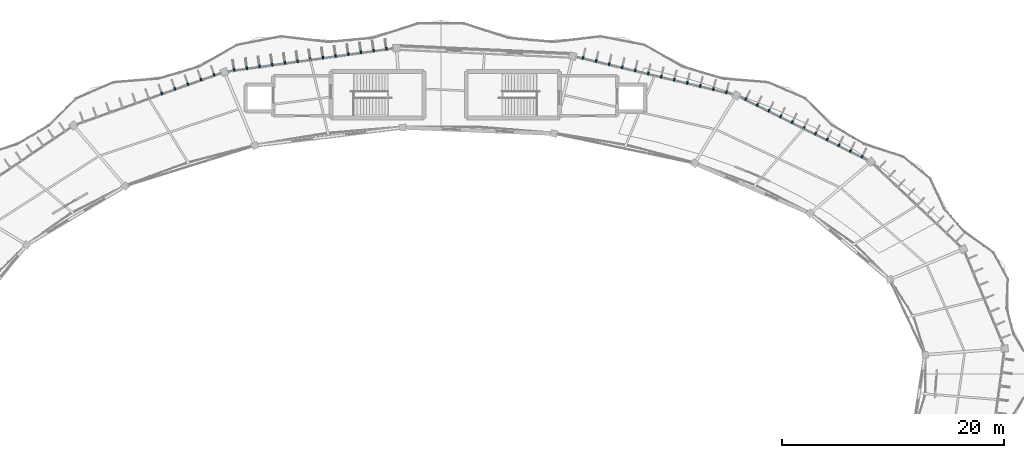
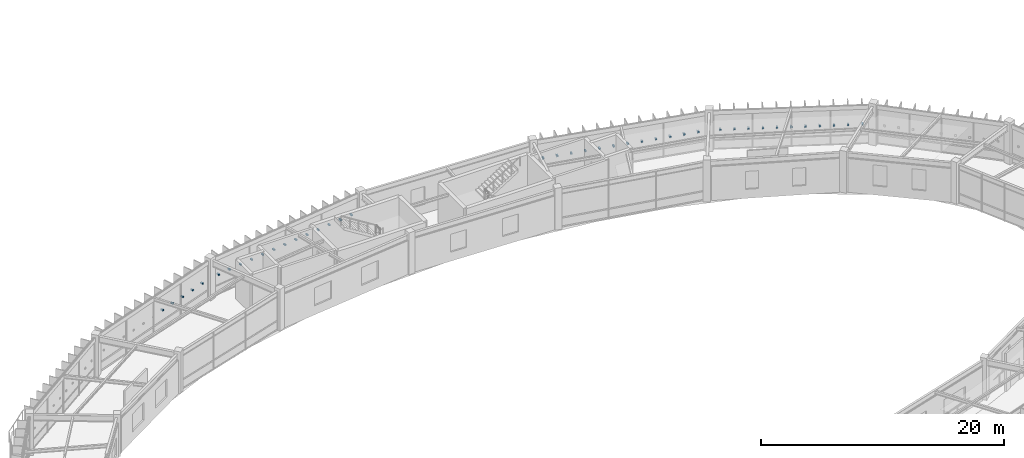
# One storey, part 102 of 114: 41 discrete accessories.
"""IFC4 building model written with IfcOpenShell, lengths in metres."""

from ifc_helpers import new_model, si_unit, direction, frame, origin, origin_2d, place, context, subcontext, project, spatial, rectangle, extrude, material, type_object, element, save


model = new_model("IFC4")

# Units and contexts
model_context = context("Model", 3, precision=1e-05, world=origin(), true_north=direction((0.0, 1.0)))
body_context = subcontext(model_context, "Body", "Model", "MODEL_VIEW")
ifc_project = project(units=[si_unit("LENGTHUNIT", "METRE"), si_unit("AREAUNIT", "SQUARE_METRE"), si_unit("VOLUMEUNIT", "CUBIC_METRE"), si_unit("PLANEANGLEUNIT", "RADIAN"), si_unit("MASSUNIT", "GRAM", prefix="KILO"), si_unit("THERMODYNAMICTEMPERATUREUNIT", "KELVIN"), si_unit("POWERUNIT", "WATT")], contexts=[model_context])

# Site, building, storey
site_placement = place(None, origin())
site = spatial("IfcSite", under=ifc_project, at=site_placement, CompositionType="ELEMENT")
building_placement = place(site_placement, origin())
building = spatial("IfcBuilding", under=site, at=building_placement, Name="Darbajah Civic Hall", CompositionType="ELEMENT")
storey_placement = place(building_placement, frame((0.0, 0.0, 13.800048828125)))
storey = spatial("IfcBuildingStorey", under=building, at=storey_placement, Name="L03", CompositionType="ELEMENT", Elevation=13.800048828125)

# Discrete accessories
ifc_material = material(Name="Stainless Steel S355JR", Category="steel")
discrete_accessory_type = type_object("IfcDiscreteAccessoryType", Name="Stainless Facade Support Bracket", PredefinedType="BRACKET", material=ifc_material)
for number, where, z_axis, x_axis, name in (
    (1, (127.089111328125, 109.41650390625, 1.89013671875), (0.0, 0.0, 1.0), (0.442914717678, 0.89656374724, 0.0), "L03 shading fin bracket 02-1"),
    (2, (126.03955078125, 109.935302734375, 1.89013671875), (0.0, 0.0, 1.0), (0.442914717678, 0.89656374724, 0.0), "L03 shading fin bracket 02-2"),
    (3, (124.98974609375, 110.453857421875, 1.89013671875), (0.0, 0.0, 1.0), (0.442914717678, 0.89656374724, 0.0), "L03 shading fin bracket 02-3"),
    (4, (123.940185546875, 110.972412109375, 1.89013671875), (0.0, 0.0, 1.0), (0.442914717678, 0.89656374724, 0.0), "L03 shading fin bracket 02-4"),
    (5, (122.890380859375, 111.490966796875, 1.89013671875), (0.0, 0.0, 1.0), (0.442914717678, 0.89656374724, 0.0), "L03 shading fin bracket 02-5"),
    (6, (121.840576171875, 112.009521484375, 1.89013671875), (0.0, 0.0, 1.0), (0.442914717678, 0.89656374724, 0.0), "L03 shading fin bracket 02-6"),
    (7, (120.791015625, 112.5283203125, 1.89013671875), (0.0, 0.0, 1.0), (0.442914717678, 0.89656374724, 0.0), "L03 shading fin bracket 02-7"),
    (8, (119.7412109375, 113.046875, 1.89013671875), (0.0, 0.0, 1.0), (0.442914717678, 0.89656374724, 0.0), "L03 shading fin bracket 02-8"),
    (9, (118.69140625, 113.5654296875, 1.89013671875), (0.0, 0.0, 1.0), (0.442914717678, 0.89656374724, 0.0), "L03 shading fin bracket 02-9"),
    (10, (117.641845703125, 114.083984375, 1.89013671875), (0.0, 0.0, 1.0), (0.442914717678, 0.89656374724, 0.0), "L03 shading fin bracket 02-10"),
    (11, (116.592041015625, 114.6025390625, 1.89013671875), (0.0, 0.0, 1.0), (0.442914717678, 0.89656374724, 0.0), "L03 shading fin bracket 02-11"),
    (12, (114.855712890625, 115.228271484375, 1.89013671875), (0.0, 0.0, 1.0), (0.232936200179, 0.972492018808, 0.0), "L03 shading fin bracket 03-1"),
    (13, (113.68017578125, 115.510009765625, 1.89013671875), (0.0, 0.0, 1.0), (0.232936200179, 0.972492018808, 0.0), "L03 shading fin bracket 03-2"),
    (14, (112.504638671875, 115.79150390625, 1.89013671875), (0.0, 0.0, 1.0), (0.232936200179, 0.972492018808, 0.0), "L03 shading fin bracket 03-3"),
    (15, (111.3291015625, 116.0732421875, 1.89013671875), (0.0, 0.0, 1.0), (0.232936200179, 0.972492018808, 0.0), "L03 shading fin bracket 03-4"),
    (16, (110.15380859375, 116.354736328125, 1.89013671875), (0.0, 0.0, 1.0), (0.232936200179, 0.972492018808, 0.0), "L03 shading fin bracket 03-5"),
    (17, (108.978271484375, 116.636474609375, 1.89013671875), (0.0, 0.0, 1.0), (0.232936200179, 0.972492018808, 0.0), "L03 shading fin bracket 03-6"),
    (18, (107.802734375, 116.918212890625, 1.89013671875), (0.0, 0.0, 1.0), (0.232936200179, 0.972492018808, 0.0), "L03 shading fin bracket 03-7"),
    (19, (106.627197265625, 117.19970703125, 1.89013671875), (0.0, 0.0, 1.0), (0.232936200179, 0.972492018808, 0.0), "L03 shading fin bracket 03-8"),
    (20, (105.451904296875, 117.481201171875, 1.89013671875), (0.0, 0.0, 1.0), (0.232936200179, 0.972492018808, 0.0), "L03 shading fin bracket 03-9"),
    (21, (104.2763671875, 117.762939453125, 1.89013671875), (0.0, 0.0, 1.0), (0.232936200179, 0.972492018808, 0.0), "L03 shading fin bracket 03-10"),
    (22, (103.100830078125, 118.044677734375, 1.89013671875), (0.0, 0.0, 1.0), (0.232936200179, 0.972492018808, 0.0), "L03 shading fin bracket 03-11"),
    (23, (101.92529296875, 118.326171875, 1.89013671875), (0.0, 0.0, 1.0), (0.232936200179, 0.972492018808, 0.0), "L03 shading fin bracket 03-12"),
    (24, (84.194580078125, 119.14404296875, 1.89013671875), (0.0, 0.0, 1.0), (-0.137617420457, 0.990485459553, 0.0), "L03 shading fin bracket 05-1"),
    (25, (83.05078125, 118.9853515625, 1.89013671875), (0.0, 0.0, 1.0), (-0.137617420457, 0.990485459553, 0.0), "L03 shading fin bracket 05-2"),
    (26, (81.9072265625, 118.826416015625, 1.89013671875), (0.0, 0.0, 1.0), (-0.137617420457, 0.990485459553, 0.0), "L03 shading fin bracket 05-3"),
    (27, (80.763671875, 118.66748046875, 1.89013671875), (0.0, 0.0, 1.0), (-0.137617420457, 0.990485459553, 0.0), "L03 shading fin bracket 05-4"),
    (28, (79.619873046875, 118.5087890625, 1.89013671875), (0.0, 0.0, 1.0), (-0.137617420457, 0.990485459553, 0.0), "L03 shading fin bracket 05-5"),
    (29, (78.476318359375, 118.35009765625, 1.89013671875), (0.0, 0.0, 1.0), (-0.137617420457, 0.990485459553, 0.0), "L03 shading fin bracket 05-6"),
    (30, (77.33251953125, 118.191162109375, 1.89013671875), (0.0, 0.0, 1.0), (-0.137617420457, 0.990485459553, 0.0), "L03 shading fin bracket 05-7"),
    (31, (76.18896484375, 118.032470703125, 1.89013671875), (0.0, 0.0, 1.0), (-0.137617420457, 0.990485459553, 0.0), "L03 shading fin bracket 05-8"),
    (32, (75.04541015625, 117.87353515625, 1.89013671875), (0.0, 0.0, 1.0), (-0.137617420457, 0.990485459553, 0.0), "L03 shading fin bracket 05-9"),
    (33, (73.901611328125, 117.714599609375, 1.89013671875), (0.0, 0.0, 1.0), (-0.137617420457, 0.990485459553, 0.0), "L03 shading fin bracket 05-10"),
    (34, (72.7578125, 117.555908203125, 1.89013671875), (0.0, 0.0, 1.0), (-0.137617420457, 0.990485459553, 0.0), "L03 shading fin bracket 05-11"),
    (35, (71.6142578125, 117.397216796875, 1.89013671875), (0.0, 0.0, 1.0), (-0.137617420457, 0.990485459553, 0.0), "L03 shading fin bracket 05-12"),
    (36, (70.470703125, 117.23828125, 1.89013671875), (0.0, 0.0, 1.0), (-0.137617420457, 0.990485459553, 0.0), "L03 shading fin bracket 05-13"),
    (37, (68.66455078125, 116.79248046875, 1.89013671875), (0.0, 0.0, 1.0), (-0.334135882844, 0.94252491309, 0.0), "L03 shading fin bracket 06-1"),
    (38, (67.483642578125, 116.373779296875, 1.89013671875), (0.0, 0.0, 1.0), (-0.334135882844, 0.94252491309, 0.0), "L03 shading fin bracket 06-2"),
    (39, (66.302978515625, 115.955322265625, 1.89013671875), (0.0, 0.0, 1.0), (-0.334135882844, 0.94252491309, 0.0), "L03 shading fin bracket 06-3"),
    (40, (65.1220703125, 115.536865234375, 1.89013671875), (0.0, 0.0, 1.0), (-0.334135882844, 0.94252491309, 0.0), "L03 shading fin bracket 06-4"),
    (41, (63.94140625, 115.118408203125, 1.89013671875), (0.0, 0.0, 1.0), (-0.334135882844, 0.94252491309, 0.0), "L03 shading fin bracket 06-5"),
):
    element("IfcDiscreteAccessory", number, at=place(storey_placement, frame(where, z_axis=z_axis, x_axis=x_axis)), inside=storey, type_object=discrete_accessory_type, Name=name, PredefinedType="BRACKET", context=body_context, shape_type="SweptSolid", body=[
        extrude(rectangle(XDim=0.260009765625, YDim=0.139892578125, at=origin_2d()), origin(), (0.0, 0.0, 1.0), 0.139892578125),
    ])

save(model, "model.ifc")
